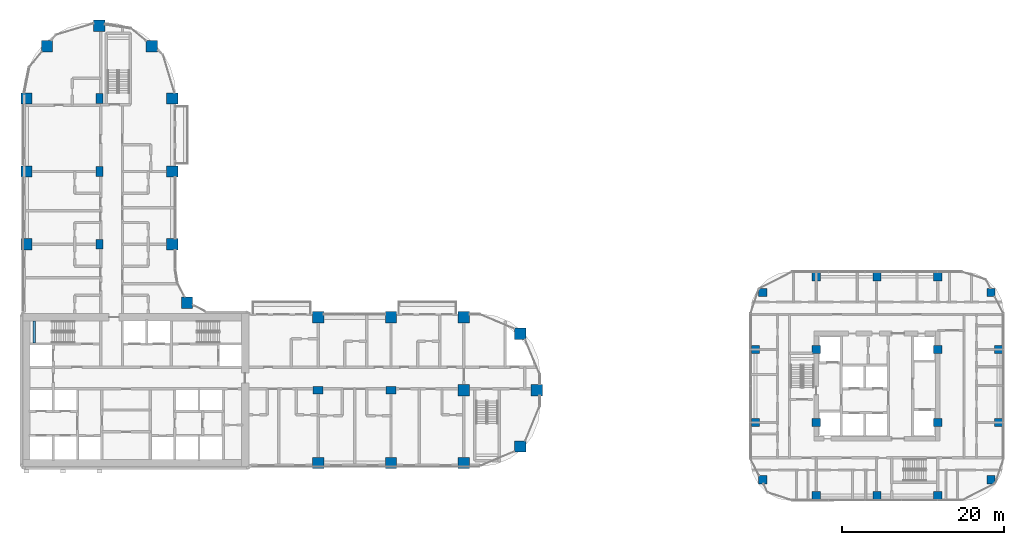
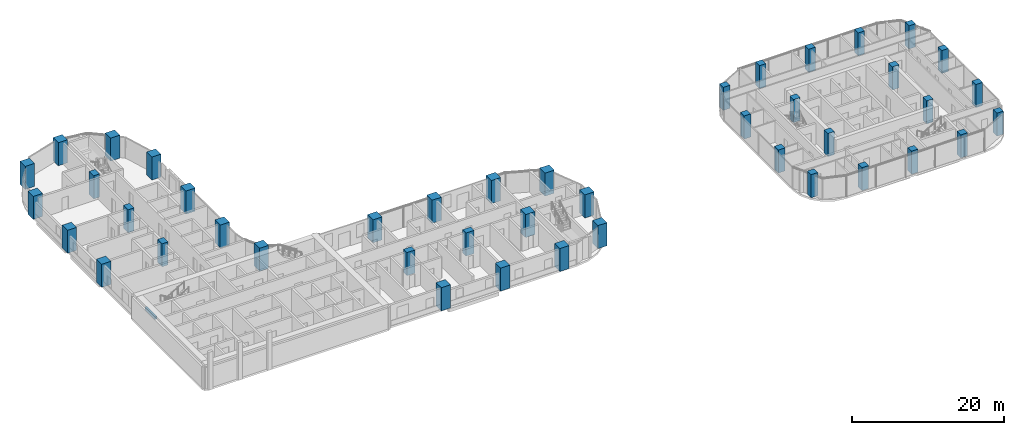
# One storey, part 1 of 30: 43 columns, 1 beam.
"""IFC4 building model written with IfcOpenShell, lengths in metres."""

from ifc_helpers import new_model, si_unit, direction, frame, origin, origin_2d, place, context, subcontext, project, spatial, rectangle, extrude, material, material_profile, profile_set, type_object, element, save


model = new_model("IFC4")

# Units and contexts
model_context = context("Model", 3, precision=1e-05, world=origin(), true_north=direction((0.0, 1.0)))
body_context = subcontext(model_context, "Body", "Model", "MODEL_VIEW")
ifc_project = project(units=[si_unit("LENGTHUNIT", "METRE"), si_unit("AREAUNIT", "SQUARE_METRE"), si_unit("VOLUMEUNIT", "CUBIC_METRE"), si_unit("PLANEANGLEUNIT", "RADIAN"), si_unit("MASSUNIT", "GRAM", prefix="KILO")], contexts=[model_context])

# Site, building, storey
site_placement = place(None, origin())
site = spatial("IfcSite", under=ifc_project, at=site_placement, CompositionType="ELEMENT")
building_placement = place(site_placement, origin())
building = spatial("IfcBuilding", under=site, at=building_placement, Name="Ogive Portal Towers", CompositionType="ELEMENT")
storey_placement = place(building_placement, frame((0.0, 0.0, 37.199951171875)))
storey = spatial("IfcBuildingStorey", under=building, at=storey_placement, Name="L07", CompositionType="ELEMENT", Elevation=37.199951171875)

# Columns
ifc_material_1 = material(Name="Concrete C60/75", Category="concrete")
ifc_material_profile_1 = material_profile(ifc_material_1, rectangle(XDim=1.0, YDim=1.0, at=origin_2d()), Name="RC 1000x1000")
ifc_profile_set_1 = profile_set([ifc_material_profile_1], Name="Concrete C60/75")
column_type_1 = type_object("IfcColumnType", Name="COLUMN RC 1000x1000", PredefinedType="COLUMN", material=ifc_profile_set_1)
for number, where, z_axis, x_axis, name in (
    (1, (129.0, 17.5, 0.0), (0.0, 0.0, 1.0), (1.0, 0.0, 0.0), "Column 12/H L07"),
    (2, (136.5, 17.5, 0.0), (0.0, 0.0, 1.0), (1.0, 0.0, 0.0), "Column 13/H L07"),
    (3, (144.0, 17.5, 0.0), (0.0, 0.0, 1.0), (1.0, 0.0, 0.0), "Column 14/H L07"),
    (4, (122.40087890625, 19.44189453125, 0.0), (0.0, 0.0, 1.0), (1.0, 0.0, 0.0), "Column L07"),
    (5, (150.59912109375, 19.44189453125, 0.0), (0.0, 0.0, 1.0), (1.0, 0.0, 0.0), "Column L07"),
    (6, (121.5, 26.5, 0.0), (0.0, 0.0, 1.0), (1.0, 0.0, 0.0), "Column 11/J L07"),
    (7, (129.0, 26.5, 0.0), (0.0, 0.0, 1.0), (1.0, 0.0, 0.0), "Column 12/J L07"),
    (8, (144.0, 26.5, 0.0), (0.0, 0.0, 1.0), (1.0, 0.0, 0.0), "Column 14/J L07"),
    (9, (151.5, 26.5, 0.0), (0.0, 0.0, 1.0), (1.0, 0.0, 0.0), "Column 15/J L07"),
    (10, (121.5, 35.5, 0.0), (0.0, 0.0, 1.0), (1.0, 0.0, 0.0), "Column 11/K L07"),
    (11, (129.0, 35.5, 0.0), (0.0, 0.0, 1.0), (1.0, 0.0, 0.0), "Column 12/K L07"),
    (12, (144.0, 35.5, 0.0), (0.0, 0.0, 1.0), (1.0, 0.0, 0.0), "Column 14/K L07"),
    (13, (151.5, 35.5, 0.0), (0.0, 0.0, 1.0), (1.0, 0.0, 0.0), "Column 15/K L07"),
    (14, (122.40087890625, 42.55810546875, 0.0), (0.0, 0.0, 1.0), (1.0, 0.0, 0.0), "Column L07"),
    (15, (150.59912109375, 42.55810546875, 0.0), (0.0, 0.0, 1.0), (1.0, 0.0, 0.0), "Column L07"),
    (16, (129.0, 44.5, 0.0), (0.0, 0.0, 1.0), (1.0, 0.0, 0.0), "Column 12/L L07"),
    (17, (136.5, 44.5, 0.0), (0.0, 0.0, 1.0), (1.0, 0.0, 0.0), "Column 13/L L07"),
    (18, (144.0, 44.5, 0.0), (0.0, 0.0, 1.0), (1.0, 0.0, 0.0), "Column 14/L L07"),
):
    element("IfcColumn", number, at=place(storey_placement, frame(where, z_axis=z_axis, x_axis=x_axis)), inside=storey, type_object=column_type_1, Name=name, PredefinedType="COLUMN", context=body_context, shape_type="SweptSolid", body=[
        extrude(rectangle(XDim=1.0, YDim=1.0, at=origin_2d()), origin(), (0.0, 0.0, 1.0), 3.699951171875),
    ])
ifc_material_profile_2 = material_profile(ifc_material_1, rectangle(XDim=1.199951171875, YDim=0.89990234375, at=origin_2d()), Name="RC 1200x900")
ifc_profile_set_2 = profile_set([ifc_material_profile_2], Name="Concrete C60/75")
column_type_2 = type_object("IfcColumnType", Name="COLUMN RC 1200x900", PredefinedType="COLUMN", material=ifc_profile_set_2)
for number, where, z_axis, x_axis, name in (
    (19, (67.5, 30.5, 0.0), (0.0, 0.0, 1.0), (1.0, 0.0, 0.0), "Column 5/B L07"),
    (20, (76.5, 30.5, 0.0), (0.0, 0.0, 1.0), (1.0, 0.0, 0.0), "Column 6/B L07"),
    (21, (40.5, 48.5, 0.0), (0.0, 0.0, 1.0), (0.0, 1.0, 0.0), "Column 2/D L07"),
    (22, (40.5, 57.5, 0.0), (0.0, 0.0, 1.0), (0.0, 1.0, 0.0), "Column 2/E L07"),
    (23, (40.5, 66.5, 0.0), (0.0, 0.0, 1.0), (0.0, 1.0, 0.0), "Column 2/F L07"),
):
    element("IfcColumn", number, at=place(storey_placement, frame(where, z_axis=z_axis, x_axis=x_axis)), inside=storey, type_object=column_type_2, Name=name, PredefinedType="COLUMN", context=body_context, shape_type="SweptSolid", body=[
        extrude(rectangle(XDim=1.199951171875, YDim=0.89990234375, at=origin_2d()), origin(), (0.0, 0.0, 1.0), 3.699951171875),
    ])
ifc_material_profile_3 = material_profile(ifc_material_1, rectangle(XDim=1.39990234375, YDim=1.39990234375, at=origin_2d()), Name="RC 1400x1400")
ifc_profile_set_3 = profile_set([ifc_material_profile_3], Name="Concrete C60/75")
column_type_3 = type_object("IfcColumnType", Name="COLUMN RC 1400x1400", PredefinedType="COLUMN", material=ifc_profile_set_3)
for number, where, z_axis, x_axis, name in (
    (24, (67.5, 21.5, 0.0), (0.0, 0.0, 1.0), (1.0, 0.0, 0.0), "Column 5/A L07"),
    (25, (76.5, 21.5, 0.0), (0.0, 0.0, 1.0), (1.0, 0.0, 0.0), "Column 6/A L07"),
    (26, (85.5, 21.5, 0.0), (0.0, 0.0, 1.0), (1.0, 0.0, 0.0), "Column 7/A L07"),
    (27, (92.449951171875, 23.550048828125, 0.0), (0.0, 0.0, 1.0), (1.0, 0.0, 0.0), "Column L07"),
    (28, (85.5, 30.5, 0.0), (0.0, 0.0, 1.0), (1.0, 0.0, 0.0), "Column 7/B L07"),
    (29, (94.5, 30.5, 0.0), (0.0, 0.0, 1.0), (1.0, 0.0, 0.0), "Column 8/B L07"),
    (30, (92.449951171875, 37.449951171875, 0.0), (0.0, 0.0, 1.0), (1.0, 0.0, 0.0), "Column L07"),
    (31, (67.5, 39.5, 0.0), (0.0, 0.0, 1.0), (1.0, 0.0, 0.0), "Column 5/C L07"),
    (32, (76.5, 39.5, 0.0), (0.0, 0.0, 1.0), (1.0, 0.0, 0.0), "Column 6/C L07"),
    (33, (85.5, 39.5, 0.0), (0.0, 0.0, 1.0), (1.0, 0.0, 0.0), "Column 7/C L07"),
    (34, (51.31005859375, 41.31005859375, 0.0), (0.0, 0.0, 1.0), (1.0, 0.0, 0.0), "Column L07"),
    (35, (31.5, 48.5, 0.0), (0.0, 0.0, 1.0), (1.0, 0.0, 0.0), "Column 1/D L07"),
    (36, (49.5, 48.5, 0.0), (0.0, 0.0, 1.0), (1.0, 0.0, 0.0), "Column 3/D L07"),
    (37, (31.5, 57.5, 0.0), (0.0, 0.0, 1.0), (1.0, 0.0, 0.0), "Column 1/E L07"),
    (38, (49.5, 57.5, 0.0), (0.0, 0.0, 1.0), (1.0, 0.0, 0.0), "Column 3/E L07"),
    (39, (31.5, 66.5, 0.0), (0.0, 0.0, 1.0), (1.0, 0.0, 0.0), "Column 1/F L07"),
    (40, (49.5, 66.5, 0.0), (0.0, 0.0, 1.0), (1.0, 0.0, 0.0), "Column 3/F L07"),
    (41, (34.027099609375, 72.972900390625, 0.0), (0.0, 0.0, 1.0), (1.0, 0.0, 0.0), "Column L07"),
    (42, (46.972900390625, 72.972900390625, 0.0), (0.0, 0.0, 1.0), (1.0, 0.0, 0.0), "Column L07"),
    (43, (40.5, 75.5, 0.0), (0.0, 0.0, 1.0), (1.0, 0.0, 0.0), "Column 2/G L07"),
):
    element("IfcColumn", number, at=place(storey_placement, frame(where, z_axis=z_axis, x_axis=x_axis)), inside=storey, type_object=column_type_3, Name=name, PredefinedType="COLUMN", context=body_context, shape_type="SweptSolid", body=[
        extrude(rectangle(XDim=1.39990234375, YDim=1.39990234375, at=origin_2d()), origin(), (0.0, 0.0, 1.0), 3.699951171875),
    ])

# Beam
ifc_material_2 = material(Name="Concrete C40/50", Category="concrete")
ifc_material_profile_4 = material_profile(ifc_material_2, rectangle(XDim=0.300048828125, YDim=0.39990234375, at=origin_2d()), Name="RC 300x400")
ifc_profile_set_4 = profile_set([ifc_material_profile_4], Name="Concrete C40/50")
beam_type = type_object("IfcBeamType", Name="BEAM RC 300x400", PredefinedType="BEAM", material=ifc_profile_set_4)
beam_placement = place(storey_placement, frame((32.449951171875, 36.35009765625, 1.449951171875), z_axis=(0.0, 1.0, 0.0), x_axis=(-1.0, 0.0, 0.0)))
element("IfcBeam", 44, at=beam_placement, inside=storey, type_object=beam_type, Name="Landing beam L07", PredefinedType="BEAM", context=body_context, shape_type="SweptSolid", body=[
    extrude(rectangle(XDim=0.300048828125, YDim=0.39990234375, at=origin_2d()), origin(), (0.0, 0.0, 1.0), 2.699951171875),
])

save(model, "model.ifc")
